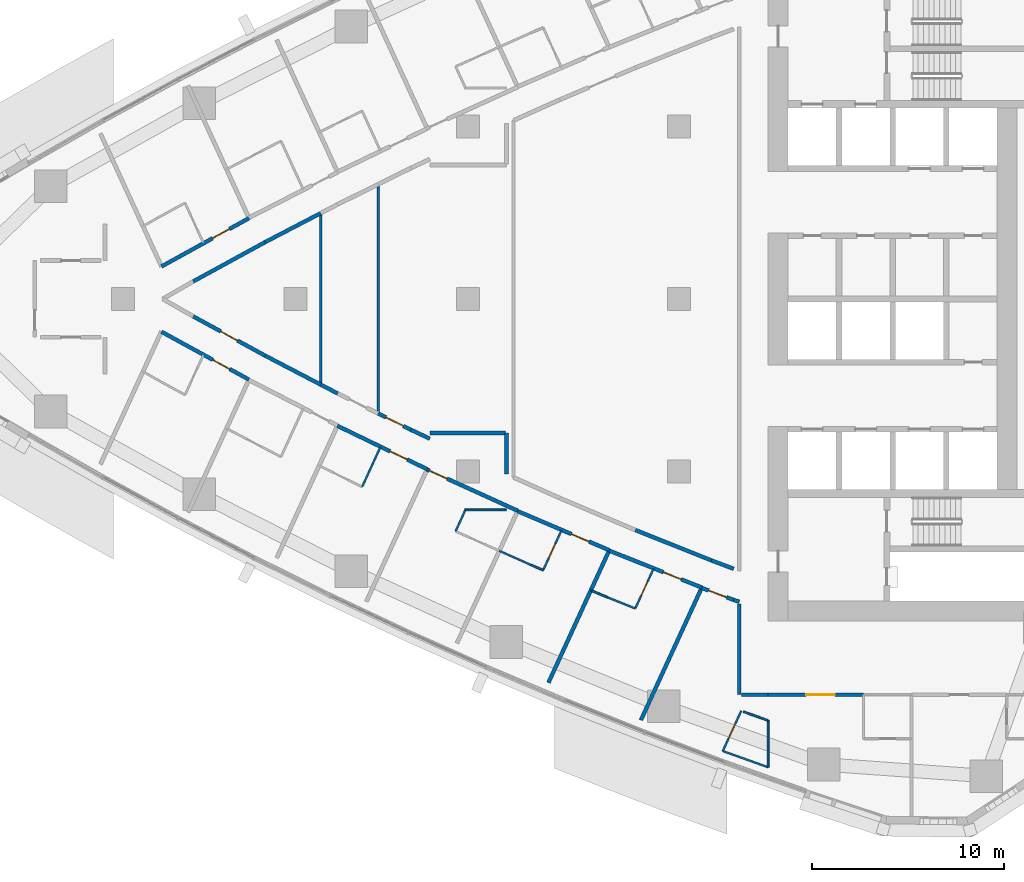
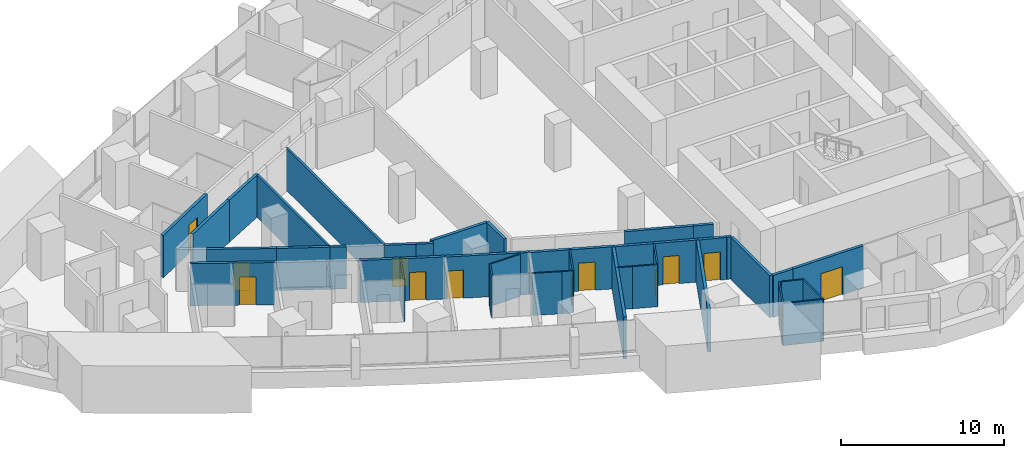
# One storey, part 9 of 17: 39 walls, 13 doors, 13 openings.
"""IFC4 building model written with IfcOpenShell, lengths in metres."""

from ifc_helpers import new_model, si_unit, direction, frame, frame_2d, origin, place, context, subcontext, project, spatial, rectangle, extrude, material, layer, layer_set, type_object, element, fill, save


model = new_model("IFC4")

# Units and contexts
model_context = context("Model", 3, precision=1e-05, world=origin(), true_north=direction((0.0, 1.0)))
body_context = subcontext(model_context, "Body", "Model", "MODEL_VIEW")
ifc_project = project(units=[si_unit("LENGTHUNIT", "METRE"), si_unit("AREAUNIT", "SQUARE_METRE"), si_unit("VOLUMEUNIT", "CUBIC_METRE"), si_unit("PLANEANGLEUNIT", "RADIAN"), si_unit("MASSUNIT", "GRAM", prefix="KILO")], contexts=[model_context])

# Site, building, storey
site_placement = place(None, origin())
site = spatial("IfcSite", under=ifc_project, at=site_placement, CompositionType="ELEMENT")
building_placement = place(site_placement, origin())
building = spatial("IfcBuilding", under=site, at=building_placement, Name="Ostrand Prow Hotel Tower", CompositionType="ELEMENT")
storey_placement = place(building_placement, frame((0.0, 0.0, 116.85009765625)))
storey = spatial("IfcBuildingStorey", under=building, at=storey_placement, Name="L28", CompositionType="ELEMENT", Elevation=116.85009765625)

# Walls
ifc_material_1 = material(Name="Plasterboard partition")
ifc_layer_1 = layer(ifc_material_1, 0.10009765625)
ifc_layer_set_1 = layer_set([ifc_layer_1], Name="Plasterboard partition")
wall_type_1 = type_object("IfcWallType", Name="Partition 100 bathroom wall", PredefinedType="PARTITIONING", material=ifc_layer_set_1)
wall_1_placement = place(storey_placement, frame((29.418701171875, -7.7373046875, 0.0), z_axis=(0.0, 0.0, 1.0), x_axis=(-0.417344701557, -0.908748260016, 0.0)))
element("IfcWall", 1, at=wall_1_placement, inside=storey, type_object=wall_type_1, Name="BATHROOM WALL", PredefinedType="PARTITIONING", context=body_context, shape_type="SweptSolid", body=[
    extrude(rectangle(XDim=2.27783203125, YDim=0.10009765625, at=frame_2d((1.138916015625, 0.0))), origin(), (0.0, 0.0, 1.0), 3.14990234375),
])
wall_2_placement = place(storey_placement, frame((33.34521484375, -12.125732421875, 0.0), z_axis=(0.0, 0.0, 1.0), x_axis=(0.417500171551, 0.908676843963, 0.0)))
element("IfcWall", 2, at=wall_2_placement, inside=storey, type_object=wall_type_1, Name="BATHROOM WALL", PredefinedType="PARTITIONING", context=body_context, shape_type="SweptSolid", body=[
    extrude(rectangle(XDim=1.212890625, YDim=0.10009765625, at=frame_2d((0.6064453125, 0.0))), origin(), (0.0, 0.0, 1.0), 3.14990234375),
])

# Wall, opening, door
wall_3_placement = place(storey_placement, frame((38.867431640625, -12.08251953125, 0.0), z_axis=(0.0, 0.0, 1.0), x_axis=(-0.417433204355, -0.908707609686, 0.0)))
wall_3 = element("IfcWall", 3, at=wall_3_placement, inside=storey, type_object=wall_type_1, Name="BATHROOM WALL", PredefinedType="PARTITIONING", context=body_context, shape_type="SweptSolid", body=[
    extrude(rectangle(XDim=2.278076171875, YDim=0.10009765625, at=frame_2d((1.13916015625, 0.0))), origin(), (0.0, 0.0, 1.0), 3.14990234375),
])
opening_1_placement = place(wall_3_placement, frame((0.75, 0.0, 0.0)))
opening_1 = element("IfcOpeningElement", 4, at=opening_1_placement, cuts=wall_3, Name="Opening D2", PredefinedType="OPENING", context=body_context, shape_type="SweptSolid", body=[
    extrude(rectangle(XDim=0.800048828125, YDim=2.10009765625, at=frame_2d((0.39990234375, 1.050048828125))), frame((0.0, 0.06005859375, 0.0), z_axis=(0.0, -1.0, 0.0), x_axis=(1.0, 0.0, 0.0)), (0.0, 0.0, 1.0), 0.1201171875),
])
ifc_material_2 = material(Name="Timber door leaf", Category="wood")
door_type_1 = type_object("IfcDoorType", Name="Bathroom door 800", OperationType="SINGLE_SWING_LEFT", PredefinedType="DOOR", material=ifc_material_2)
door_1_placement = place(opening_1_placement, origin())
door_1 = element("IfcDoor", 5, at=door_1_placement, inside=storey, type_object=door_type_1, Name="DOOR", OperationType="SINGLE_SWING_LEFT", OverallHeight=2.10009765625, OverallWidth=0.800048828125, PredefinedType="DOOR", context=body_context, shape_type="SweptSolid", body=[
    extrude(rectangle(XDim=0.800048828125, YDim=2.10009765625, at=frame_2d((0.39990234375, 1.050048828125))), frame((0.0, 0.02490234375, 0.0), z_axis=(0.0, -1.0, 0.0), x_axis=(1.0, 0.0, 0.0)), (0.0, 0.0, 1.0), 0.050048828125),
])
fill(opening_1, door_1)

# Walls
wall_4_placement = place(storey_placement, frame((37.91650390625, -14.152587890625, 0.0), z_axis=(0.0, 0.0, 1.0), x_axis=(-0.920972104389, 0.389628519153, 0.0)))
element("IfcWall", 6, at=wall_4_placement, inside=storey, type_object=wall_type_1, Name="BATHROOM WALL", PredefinedType="PARTITIONING", context=body_context, shape_type="SweptSolid", body=[
    extrude(rectangle(XDim=0.6943359375, YDim=0.10009765625, at=frame_2d((0.34716796875, 0.0))), origin(), (0.0, 0.0, 1.0), 3.14990234375),
])
wall_5_placement = place(storey_placement, frame((37.27685546875, -13.882080078125, 0.0), z_axis=(0.0, 0.0, 1.0), x_axis=(-0.913023709843, 0.407906490833, 0.0)))
element("IfcWall", 7, at=wall_5_placement, inside=storey, type_object=wall_type_1, Name="BATHROOM WALL", PredefinedType="PARTITIONING", context=body_context, shape_type="SweptSolid", body=[
    extrude(rectangle(XDim=1.8056640625, YDim=0.10009765625, at=frame_2d((0.90283203125, 0.0))), origin(), (0.0, 0.0, 1.0), 3.14990234375),
])

# Wall, opening, door
wall_6_placement = place(storey_placement, frame((43.6728515625, -14.0791015625, 0.0), z_axis=(0.0, 0.0, 1.0), x_axis=(-0.417414140651, -0.908716366742, 0.0)))
wall_6 = element("IfcWall", 8, at=wall_6_placement, inside=storey, type_object=wall_type_1, Name="BATHROOM WALL", PredefinedType="PARTITIONING", context=body_context, shape_type="SweptSolid", body=[
    extrude(rectangle(XDim=2.27978515625, YDim=0.10009765625, at=frame_2d((1.139892578125, 0.0))), origin(), (0.0, 0.0, 1.0), 3.14990234375),
])
opening_2_placement = place(wall_6_placement, frame((0.75, 0.0, 0.0)))
opening_2 = element("IfcOpeningElement", 9, at=opening_2_placement, cuts=wall_6, Name="Opening D2", PredefinedType="OPENING", context=body_context, shape_type="SweptSolid", body=[
    extrude(rectangle(XDim=0.800048828125, YDim=2.10009765625, at=frame_2d((0.39990234375, 1.050048828125))), frame((0.0, 0.06005859375, 0.0), z_axis=(0.0, -1.0, 0.0), x_axis=(1.0, 0.0, 0.0)), (0.0, 0.0, 1.0), 0.1201171875),
])
door_2_placement = place(opening_2_placement, origin())
door_2 = element("IfcDoor", 10, at=door_2_placement, inside=storey, type_object=door_type_1, Name="DOOR", OperationType="SINGLE_SWING_LEFT", OverallHeight=2.10009765625, OverallWidth=0.800048828125, PredefinedType="DOOR", context=body_context, shape_type="SweptSolid", body=[
    extrude(rectangle(XDim=0.800048828125, YDim=2.10009765625, at=frame_2d((0.39990234375, 1.050048828125))), frame((0.0, 0.02490234375, 0.0), z_axis=(0.0, -1.0, 0.0), x_axis=(1.0, 0.0, 0.0)), (0.0, 0.0, 1.0), 0.050048828125),
])
fill(opening_2, door_2)

# Walls
wall_7_placement = place(storey_placement, frame((42.720947265625, -16.15087890625, 0.0), z_axis=(0.0, 0.0, 1.0), x_axis=(-0.928607087251, 0.371064519333, 0.0)))
element("IfcWall", 11, at=wall_7_placement, inside=storey, type_object=wall_type_1, Name="BATHROOM WALL", PredefinedType="PARTITIONING", context=body_context, shape_type="SweptSolid", body=[
    extrude(rectangle(XDim=1.548828125, YDim=0.10009765625, at=frame_2d((0.7744140625, 0.0))), origin(), (0.0, 0.0, 1.0), 3.14990234375),
])
wall_8_placement = place(storey_placement, frame((41.28271484375, -15.576171875, 0.0), z_axis=(0.0, 0.0, 1.0), x_axis=(-0.921041449483, 0.389464566212, 0.0)))
element("IfcWall", 12, at=wall_8_placement, inside=storey, type_object=wall_type_1, Name="BATHROOM WALL", PredefinedType="PARTITIONING", context=body_context, shape_type="SweptSolid", body=[
    extrude(rectangle(XDim=0.953369140625, YDim=0.10009765625, at=frame_2d((0.4765625, 0.0))), origin(), (0.0, 0.0, 1.0), 3.14990234375),
])
wall_9_placement = place(storey_placement, frame((48.36279296875, -21.5400390625, 0.0), z_axis=(0.0, 0.0, 1.0), x_axis=(0.942692856107, -0.333661773425, 0.0)))
element("IfcWall", 13, at=wall_9_placement, inside=storey, type_object=wall_type_1, Name="BATHROOM WALL", PredefinedType="PARTITIONING", context=body_context, shape_type="SweptSolid", body=[
    extrude(rectangle(XDim=1.365234375, YDim=0.10009765625, at=frame_2d((0.6826171875, 0.0))), origin(), (0.0, 0.0, 1.0), 3.14990234375),
])

# Wall, opening, door
wall_10_placement = place(storey_placement, frame((47.285888671875, -23.59228515625, 0.0), z_axis=(0.0, 0.0, 1.0), x_axis=(0.41749308293, 0.908680100864, 0.0)))
wall_10 = element("IfcWall", 14, at=wall_10_placement, inside=storey, type_object=wall_type_1, Name="BATHROOM WALL", PredefinedType="PARTITIONING", context=body_context, shape_type="SweptSolid", body=[
    extrude(rectangle(XDim=2.3056640625, YDim=0.10009765625, at=frame_2d((1.15283203125, 0.0))), origin(), (0.0, 0.0, 1.0), 3.14990234375),
])
opening_3_placement = place(wall_10_placement, frame((0.75, 0.0, 0.0)))
opening_3 = element("IfcOpeningElement", 15, at=opening_3_placement, cuts=wall_10, Name="Opening D2", PredefinedType="OPENING", context=body_context, shape_type="SweptSolid", body=[
    extrude(rectangle(XDim=0.800048828125, YDim=2.10009765625, at=frame_2d((0.39990234375, 1.050048828125))), frame((0.0, 0.06005859375, 0.0), z_axis=(0.0, -1.0, 0.0), x_axis=(1.0, 0.0, 0.0)), (0.0, 0.0, 1.0), 0.1201171875),
])
door_3_placement = place(opening_3_placement, origin())
door_3 = element("IfcDoor", 16, at=door_3_placement, inside=storey, type_object=door_type_1, Name="DOOR", OperationType="SINGLE_SWING_LEFT", OverallHeight=2.10009765625, OverallWidth=0.800048828125, PredefinedType="DOOR", context=body_context, shape_type="SweptSolid", body=[
    extrude(rectangle(XDim=0.800048828125, YDim=2.10009765625, at=frame_2d((0.39990234375, 1.050048828125))), frame((0.0, 0.02490234375, 0.0), z_axis=(0.0, -1.0, 0.0), x_axis=(1.0, 0.0, 0.0)), (0.0, 0.0, 1.0), 0.050048828125),
])
fill(opening_3, door_3)

# Walls
wall_11_placement = place(storey_placement, frame((33.828857421875, -11.0048828125, 0.0), z_axis=(0.0, 0.0, 1.0), x_axis=(1.0, 0.0, 0.0)))
element("IfcWall", 17, at=wall_11_placement, inside=storey, type_object=wall_type_1, Name="BATHROOM WALL", PredefinedType="PARTITIONING", context=body_context, shape_type="SweptSolid", body=[
    extrude(rectangle(XDim=2.171630859375, YDim=0.10009765625, at=frame_2d((1.0859375, 0.0))), origin(), (0.0, 0.0, 1.0), 3.14990234375),
])
wall_12_placement = place(storey_placement, frame((49.64990234375, -21.99560546875, 0.0), z_axis=(0.0, 0.0, 1.0), x_axis=(0.0, -1.0, 0.0)))
element("IfcWall", 18, at=wall_12_placement, inside=storey, type_object=wall_type_1, Name="BATHROOM WALL", PredefinedType="PARTITIONING", context=body_context, shape_type="SweptSolid", body=[
    extrude(rectangle(XDim=2.439453125, YDim=0.10009765625, at=frame_2d((1.2197265625, 0.0))), origin(), (0.0, 0.0, 1.0), 3.14990234375),
])
wall_13_placement = place(storey_placement, frame((49.64990234375, -24.43505859375, 0.0), z_axis=(0.0, 0.0, 1.0), x_axis=(-0.941933231826, 0.335800218555, 0.0)))
element("IfcWall", 19, at=wall_13_placement, inside=storey, type_object=wall_type_1, Name="BATHROOM WALL", PredefinedType="PARTITIONING", context=body_context, shape_type="SweptSolid", body=[
    extrude(rectangle(XDim=2.509765625, YDim=0.10009765625, at=frame_2d((1.2548828125, 0.0))), origin(), (0.0, 0.0, 1.0), 3.14990234375),
])
ifc_material_3 = material(Name="Plasterboard partition")
ifc_layer_2 = layer(ifc_material_3, 0.14990234375)
ifc_layer_set_2 = layer_set([ifc_layer_2], Name="Plasterboard partition")
wall_type_2 = type_object("IfcWallType", Name="Partition 150 room partition", PredefinedType="PARTITIONING", material=ifc_layer_set_2)
wall_14_placement = place(storey_placement, frame((26.30810546875, -4.47314453125, 0.0), z_axis=(0.0, 0.0, 1.0), x_axis=(0.0, 1.0, 0.0)))
element("IfcWall", 20, at=wall_14_placement, inside=storey, type_object=wall_type_2, Name="ROOM PARTITION", PredefinedType="PARTITIONING", context=body_context, shape_type="SweptSolid", body=[
    extrude(rectangle(XDim=8.9462890625, YDim=0.14990234375, at=frame_2d((4.47314453125, 0.0))), origin(), (0.0, 0.0, 1.0), 3.14990234375),
])
wall_15_placement = place(storey_placement, frame((29.30810546875, -5.982666015625, 0.0), z_axis=(0.0, 0.0, 1.0), x_axis=(0.0, 1.0, 0.0)))
element("IfcWall", 21, at=wall_15_placement, inside=storey, type_object=wall_type_2, Name="ROOM PARTITION", PredefinedType="PARTITIONING", context=body_context, shape_type="SweptSolid", body=[
    extrude(rectangle(XDim=11.96533203125, YDim=0.14990234375, at=frame_2d((5.982666015625, 0.0))), origin(), (0.0, 0.0, 1.0), 3.14990234375),
])

# Wall, opening, door
ifc_material_4 = material(Name="Plasterboard partition")
ifc_layer_3 = layer(ifc_material_4, 0.199951171875)
ifc_layer_set_3 = layer_set([ifc_layer_3], Name="Plasterboard partition")
wall_type_3 = type_object("IfcWallType", Name="Partition 200 corridor wall", PredefinedType="PARTITIONING", material=ifc_layer_set_3)
wall_16_placement = place(storey_placement, frame((18.0, 1.691650390625, 0.0), z_axis=(0.0, 0.0, 1.0), x_axis=(0.875501185112, 0.483215971246, 0.0)))
wall_16 = element("IfcWall", 22, at=wall_16_placement, inside=storey, type_object=wall_type_3, Name="CORRIDOR WALL", PredefinedType="PARTITIONING", context=body_context, shape_type="SweptSolid", body=[
    extrude(rectangle(XDim=5.214111328125, YDim=0.199951171875, at=frame_2d((2.60693359375, 0.0))), origin(), (0.0, 0.0, 1.0), 3.14990234375),
])
opening_4_placement = place(wall_16_placement, frame((3.050048828125, 0.0, 0.0)))
opening_4 = element("IfcOpeningElement", 23, at=opening_4_placement, cuts=wall_16, Name="Opening D1", PredefinedType="OPENING", context=body_context, shape_type="SweptSolid", body=[
    extrude(rectangle(XDim=1.0, YDim=2.10009765625, at=frame_2d((0.5, 1.050048828125))), frame((0.0, 0.10986328125, 0.0), z_axis=(0.0, -1.0, 0.0), x_axis=(1.0, 0.0, 0.0)), (0.0, 0.0, 1.0), 0.219970703125),
])
ifc_material_5 = material(Name="Timber door leaf", Category="wood")
door_type_2 = type_object("IfcDoorType", Name="Guest room door 1000", OperationType="SINGLE_SWING_LEFT", PredefinedType="DOOR", material=ifc_material_5)
door_4_placement = place(opening_4_placement, origin())
door_4 = element("IfcDoor", 24, at=door_4_placement, inside=storey, type_object=door_type_2, Name="DOOR", OperationType="SINGLE_SWING_LEFT", OverallHeight=2.10009765625, OverallWidth=1.0, PredefinedType="DOOR", context=body_context, shape_type="SweptSolid", body=[
    extrude(rectangle(XDim=1.0, YDim=2.10009765625, at=frame_2d((0.5, 1.050048828125))), frame((0.0, 0.02490234375, 0.0), z_axis=(0.0, -1.0, 0.0), x_axis=(1.0, 0.0, 0.0)), (0.0, 0.0, 1.0), 0.050048828125),
])
fill(opening_4, door_4)

wall_17_placement = place(storey_placement, frame((18.0, -1.714599609375, 0.0), z_axis=(0.0, 0.0, 1.0), x_axis=(0.877360645448, -0.479831530664, 0.0)))
wall_17 = element("IfcWall", 25, at=wall_17_placement, inside=storey, type_object=wall_type_3, Name="CORRIDOR WALL", PredefinedType="PARTITIONING", context=body_context, shape_type="SweptSolid", body=[
    extrude(rectangle(XDim=5.203125, YDim=0.199951171875, at=frame_2d((2.6015625, 0.0))), origin(), (0.0, 0.0, 1.0), 3.14990234375),
])
opening_5_placement = place(wall_17_placement, frame((3.050048828125, 0.0, 0.0)))
opening_5 = element("IfcOpeningElement", 26, at=opening_5_placement, cuts=wall_17, Name="Opening D1", PredefinedType="OPENING", context=body_context, shape_type="SweptSolid", body=[
    extrude(rectangle(XDim=1.0, YDim=2.10009765625, at=frame_2d((0.5, 1.050048828125))), frame((0.0, 0.10986328125, 0.0), z_axis=(0.0, -1.0, 0.0), x_axis=(1.0, 0.0, 0.0)), (0.0, 0.0, 1.0), 0.219970703125),
])
door_5_placement = place(opening_5_placement, origin())
door_5 = element("IfcDoor", 27, at=door_5_placement, inside=storey, type_object=door_type_2, Name="DOOR", OperationType="SINGLE_SWING_LEFT", OverallHeight=2.10009765625, OverallWidth=1.0, PredefinedType="DOOR", context=body_context, shape_type="SweptSolid", body=[
    extrude(rectangle(XDim=1.0, YDim=2.10009765625, at=frame_2d((0.5, 1.050048828125))), frame((0.0, 0.02490234375, 0.0), z_axis=(0.0, -1.0, 0.0), x_axis=(1.0, 0.0, 0.0)), (0.0, 0.0, 1.0), 0.050048828125),
])
fill(opening_5, door_5)

wall_18_placement = place(storey_placement, frame((27.17919921875, -6.623779296875, 0.0), z_axis=(0.0, 0.0, 1.0), x_axis=(0.900446408639, -0.434966970204, 0.0)))
wall_18 = element("IfcWall", 28, at=wall_18_placement, inside=storey, type_object=wall_type_3, Name="CORRIDOR WALL", PredefinedType="PARTITIONING", context=body_context, shape_type="SweptSolid", body=[
    extrude(rectangle(XDim=5.200927734375, YDim=0.199951171875, at=frame_2d((2.6005859375, 0.0))), origin(), (0.0, 0.0, 1.0), 3.14990234375),
])
opening_6_placement = place(wall_18_placement, frame((3.050048828125, 0.0, 0.0)))
opening_6 = element("IfcOpeningElement", 29, at=opening_6_placement, cuts=wall_18, Name="Opening D1", PredefinedType="OPENING", context=body_context, shape_type="SweptSolid", body=[
    extrude(rectangle(XDim=1.0, YDim=2.10009765625, at=frame_2d((0.5, 1.050048828125))), frame((0.0, 0.10986328125, 0.0), z_axis=(0.0, -1.0, 0.0), x_axis=(1.0, 0.0, 0.0)), (0.0, 0.0, 1.0), 0.219970703125),
])
door_6_placement = place(opening_6_placement, origin())
door_6 = element("IfcDoor", 30, at=door_6_placement, inside=storey, type_object=door_type_2, Name="DOOR", OperationType="SINGLE_SWING_LEFT", OverallHeight=2.10009765625, OverallWidth=1.0, PredefinedType="DOOR", context=body_context, shape_type="SweptSolid", body=[
    extrude(rectangle(XDim=1.0, YDim=2.10009765625, at=frame_2d((0.5, 1.050048828125))), frame((0.0, 0.02490234375, 0.0), z_axis=(0.0, -1.0, 0.0), x_axis=(1.0, 0.0, 0.0)), (0.0, 0.0, 1.0), 0.050048828125),
])
fill(opening_6, door_6)

wall_19_placement = place(storey_placement, frame((31.85400390625, -8.904296875, 0.0), z_axis=(0.0, 0.0, 1.0), x_axis=(0.910421138148, -0.413682669704, 0.0)))
wall_19 = element("IfcWall", 31, at=wall_19_placement, inside=storey, type_object=wall_type_3, Name="CORRIDOR WALL", PredefinedType="PARTITIONING", context=body_context, shape_type="SweptSolid", body=[
    extrude(rectangle(XDim=5.199951171875, YDim=0.199951171875, at=frame_2d((2.60009765625, 0.0))), origin(), (0.0, 0.0, 1.0), 3.14990234375),
])
opening_7_placement = place(wall_19_placement, frame((0.14990234375, 0.0, 0.0)))
opening_7 = element("IfcOpeningElement", 32, at=opening_7_placement, cuts=wall_19, Name="Opening D1", PredefinedType="OPENING", context=body_context, shape_type="SweptSolid", body=[
    extrude(rectangle(XDim=1.0, YDim=2.10009765625, at=frame_2d((0.5, 1.050048828125))), frame((0.0, 0.10986328125, 0.0), z_axis=(0.0, -1.0, 0.0), x_axis=(1.0, 0.0, 0.0)), (0.0, 0.0, 1.0), 0.219970703125),
])
door_7_placement = place(opening_7_placement, origin())
door_7 = element("IfcDoor", 33, at=door_7_placement, inside=storey, type_object=door_type_2, Name="DOOR", OperationType="SINGLE_SWING_LEFT", OverallHeight=2.10009765625, OverallWidth=1.0, PredefinedType="DOOR", context=body_context, shape_type="SweptSolid", body=[
    extrude(rectangle(XDim=1.0, YDim=2.10009765625, at=frame_2d((0.5, 1.050048828125))), frame((0.0, 0.02490234375, 0.0), z_axis=(0.0, -1.0, 0.0), x_axis=(1.0, 0.0, 0.0)), (0.0, 0.0, 1.0), 0.050048828125),
])
fill(opening_7, door_7)

wall_20_placement = place(storey_placement, frame((36.579833984375, -11.073486328125, 0.0), z_axis=(0.0, 0.0, 1.0), x_axis=(0.919874136955, -0.392213681762, 0.0)))
wall_20 = element("IfcWall", 34, at=wall_20_placement, inside=storey, type_object=wall_type_3, Name="CORRIDOR WALL", PredefinedType="PARTITIONING", context=body_context, shape_type="SweptSolid", body=[
    extrude(rectangle(XDim=5.201904296875, YDim=0.199951171875, at=frame_2d((2.60107421875, 0.0))), origin(), (0.0, 0.0, 1.0), 3.14990234375),
])
opening_8_placement = place(wall_20_placement, frame((3.050048828125, 0.0, 0.0)))
opening_8 = element("IfcOpeningElement", 35, at=opening_8_placement, cuts=wall_20, Name="Opening D1", PredefinedType="OPENING", context=body_context, shape_type="SweptSolid", body=[
    extrude(rectangle(XDim=1.0, YDim=2.10009765625, at=frame_2d((0.5, 1.050048828125))), frame((0.0, 0.10986328125, 0.0), z_axis=(0.0, -1.0, 0.0), x_axis=(1.0, 0.0, 0.0)), (0.0, 0.0, 1.0), 0.219970703125),
])
door_8_placement = place(opening_8_placement, origin())
door_8 = element("IfcDoor", 36, at=door_8_placement, inside=storey, type_object=door_type_2, Name="DOOR", OperationType="SINGLE_SWING_LEFT", OverallHeight=2.10009765625, OverallWidth=1.0, PredefinedType="DOOR", context=body_context, shape_type="SweptSolid", body=[
    extrude(rectangle(XDim=1.0, YDim=2.10009765625, at=frame_2d((0.5, 1.050048828125))), frame((0.0, 0.02490234375, 0.0), z_axis=(0.0, -1.0, 0.0), x_axis=(1.0, 0.0, 0.0)), (0.0, 0.0, 1.0), 0.050048828125),
])
fill(opening_8, door_8)

wall_21_placement = place(storey_placement, frame((41.356689453125, -13.132080078125, 0.0), z_axis=(0.0, 0.0, 1.0), x_axis=(0.928902922329, -0.370323319396, 0.0)))
wall_21 = element("IfcWall", 37, at=wall_21_placement, inside=storey, type_object=wall_type_3, Name="CORRIDOR WALL", PredefinedType="PARTITIONING", context=body_context, shape_type="SweptSolid", body=[
    extrude(rectangle(XDim=5.206787109375, YDim=0.199951171875, at=frame_2d((2.603515625, 0.0))), origin(), (0.0, 0.0, 1.0), 3.14990234375),
])
opening_9_placement = place(wall_21_placement, frame((3.050048828125, 0.0, 0.0)))
opening_9 = element("IfcOpeningElement", 38, at=opening_9_placement, cuts=wall_21, Name="Opening D1", PredefinedType="OPENING", context=body_context, shape_type="SweptSolid", body=[
    extrude(rectangle(XDim=1.0, YDim=2.10009765625, at=frame_2d((0.5, 1.050048828125))), frame((0.0, 0.10986328125, 0.0), z_axis=(0.0, -1.0, 0.0), x_axis=(1.0, 0.0, 0.0)), (0.0, 0.0, 1.0), 0.219970703125),
])
door_9_placement = place(opening_9_placement, origin())
door_9 = element("IfcDoor", 39, at=door_9_placement, inside=storey, type_object=door_type_2, Name="DOOR", OperationType="SINGLE_SWING_LEFT", OverallHeight=2.10009765625, OverallWidth=1.0, PredefinedType="DOOR", context=body_context, shape_type="SweptSolid", body=[
    extrude(rectangle(XDim=1.0, YDim=2.10009765625, at=frame_2d((0.5, 1.050048828125))), frame((0.0, 0.02490234375, 0.0), z_axis=(0.0, -1.0, 0.0), x_axis=(1.0, 0.0, 0.0)), (0.0, 0.0, 1.0), 0.050048828125),
])
fill(opening_9, door_9)

wall_22_placement = place(storey_placement, frame((23.40673828125, -2.9619140625, 0.0), z_axis=(0.0, 0.0, 1.0), x_axis=(-0.877465075585, 0.479640533242, 0.0)))
wall_22 = element("IfcWall", 40, at=wall_22_placement, inside=storey, type_object=wall_type_3, Name="CORRIDOR WALL", PredefinedType="PARTITIONING", context=body_context, shape_type="SweptSolid", body=[
    extrude(rectangle(XDim=4.273193359375, YDim=0.199951171875, at=frame_2d((2.13671875, 0.0))), origin(), (0.0, 0.0, 1.0), 3.14990234375),
])
opening_10_placement = place(wall_22_placement, frame((1.636474609375, 0.0, 0.0)))
opening_10 = element("IfcOpeningElement", 41, at=opening_10_placement, cuts=wall_22, Name="Opening D1R", PredefinedType="OPENING", context=body_context, shape_type="SweptSolid", body=[
    extrude(rectangle(XDim=1.0, YDim=2.10009765625, at=frame_2d((0.5, 1.050048828125))), frame((0.0, 0.10986328125, 0.0), z_axis=(0.0, -1.0, 0.0), x_axis=(1.0, 0.0, 0.0)), (0.0, 0.0, 1.0), 0.219970703125),
])
ifc_material_6 = material(Name="Timber door leaf", Category="wood")
door_type_3 = type_object("IfcDoorType", Name="Guest room door 1000 right", OperationType="SINGLE_SWING_RIGHT", PredefinedType="DOOR", material=ifc_material_6)
door_10_placement = place(opening_10_placement, origin())
door_10 = element("IfcDoor", 42, at=door_10_placement, inside=storey, type_object=door_type_3, Name="DOOR", OperationType="SINGLE_SWING_RIGHT", OverallHeight=2.10009765625, OverallWidth=1.0, PredefinedType="DOOR", context=body_context, shape_type="SweptSolid", body=[
    extrude(rectangle(XDim=1.0, YDim=2.10009765625, at=frame_2d((0.5, 1.050048828125))), frame((0.0, 0.02490234375, 0.0), z_axis=(0.0, -1.0, 0.0), x_axis=(1.0, 0.0, 0.0)), (0.0, 0.0, 1.0), 0.050048828125),
])
fill(opening_10, door_10)

# Walls
wall_23_placement = place(storey_placement, frame((19.6572265625, 0.912353515625, 0.0), z_axis=(0.0, 0.0, 1.0), x_axis=(0.877465075585, 0.479640533242, 0.0)))
element("IfcWall", 43, at=wall_23_placement, inside=storey, type_object=wall_type_3, Name="CORRIDOR WALL", PredefinedType="PARTITIONING", context=body_context, shape_type="SweptSolid", body=[
    extrude(rectangle(XDim=4.273193359375, YDim=0.199951171875, at=frame_2d((2.13671875, 0.0))), origin(), (0.0, 0.0, 1.0), 3.14990234375),
])
for number, where, z_axis, x_axis, name in (
    (44, (23.40673828125, 2.9619140625, 0.0), (0.0, 0.0, 1.0), (0.886901344009, 0.461958879116, 0.0), "CORRIDOR WALL"),
    (45, (26.30810546875, -4.47314453125, 0.0), (0.0, 0.0, 1.0), (-0.886901344009, 0.461958879116, 0.0), "CORRIDOR WALL"),
):
    element("IfcWall", number, at=place(storey_placement, frame(where, z_axis=z_axis, x_axis=x_axis)), inside=storey, type_object=wall_type_3, Name=name, PredefinedType="PARTITIONING", context=body_context, shape_type="SweptSolid", body=[
        extrude(rectangle(XDim=3.271240234375, YDim=0.199951171875, at=frame_2d((1.6357421875, 0.0))), origin(), (0.0, 0.0, 1.0), 3.14990234375),
    ])
wall_24_placement = place(storey_placement, frame((27.1962890625, -4.935791015625, 0.0), z_axis=(0.0, 0.0, 1.0), x_axis=(-0.886893275317, 0.461974369633, 0.0)))
element("IfcWall", 46, at=wall_24_placement, inside=storey, type_object=wall_type_3, Name="CORRIDOR WALL", PredefinedType="PARTITIONING", context=body_context, shape_type="SweptSolid", body=[
    extrude(rectangle(XDim=1.00146484375, YDim=0.199951171875, at=frame_2d((0.500732421875, 0.0))), origin(), (0.0, 0.0, 1.0), 3.14990234375),
])

# Wall, opening, door
wall_25_placement = place(storey_placement, frame((31.02490234375, -6.83349609375, 0.0), z_axis=(0.0, 0.0, 1.0), x_axis=(-0.896001589052, 0.444050844404, 0.0)))
wall_25 = element("IfcWall", 47, at=wall_25_placement, inside=storey, type_object=wall_type_3, Name="CORRIDOR WALL", PredefinedType="PARTITIONING", context=body_context, shape_type="SweptSolid", body=[
    extrude(rectangle(XDim=1.916015625, YDim=0.199951171875, at=frame_2d((0.9580078125, 0.0))), origin(), (0.0, 0.0, 1.0), 3.14990234375),
])
opening_11_placement = place(wall_25_placement, frame((0.4580078125, 0.0, 0.0)))
opening_11 = element("IfcOpeningElement", 48, at=opening_11_placement, cuts=wall_25, Name="Opening D1R", PredefinedType="OPENING", context=body_context, shape_type="SweptSolid", body=[
    extrude(rectangle(XDim=1.0, YDim=2.10009765625, at=frame_2d((0.5, 1.050048828125))), frame((0.0, 0.10986328125, 0.0), z_axis=(0.0, -1.0, 0.0), x_axis=(1.0, 0.0, 0.0)), (0.0, 0.0, 1.0), 0.219970703125),
])
door_11_placement = place(opening_11_placement, origin())
door_11 = element("IfcDoor", 49, at=door_11_placement, inside=storey, type_object=door_type_3, Name="DOOR", OperationType="SINGLE_SWING_RIGHT", OverallHeight=2.10009765625, OverallWidth=1.0, PredefinedType="DOOR", context=body_context, shape_type="SweptSolid", body=[
    extrude(rectangle(XDim=1.0, YDim=2.10009765625, at=frame_2d((0.5, 1.050048828125))), frame((0.0, 0.02490234375, 0.0), z_axis=(0.0, -1.0, 0.0), x_axis=(1.0, 0.0, 0.0)), (0.0, 0.0, 1.0), 0.050048828125),
])
fill(opening_11, door_11)

# Walls
wall_26_placement = place(storey_placement, frame((32.0, -7.292724609375, 0.0), z_axis=(0.0, 0.0, 1.0), x_axis=(-0.904690325494, 0.426069730159, 0.0)))
element("IfcWall", 50, at=wall_26_placement, inside=storey, type_object=wall_type_3, Name="CORRIDOR WALL", PredefinedType="PARTITIONING", context=body_context, shape_type="SweptSolid", body=[
    extrude(rectangle(XDim=1.077880859375, YDim=0.199951171875, at=frame_2d((0.5390625, 0.0))), origin(), (0.0, 0.0, 1.0), 3.14990234375),
])
wall_27_placement = place(storey_placement, frame((46.69580078125, -13.646728515625, 0.0), z_axis=(0.0, 0.0, 1.0), x_axis=(-0.928638161177, 0.370986745864, 0.0)))
element("IfcWall", 51, at=wall_27_placement, inside=storey, type_object=wall_type_3, Name="CORRIDOR WALL", PredefinedType="PARTITIONING", context=body_context, shape_type="SweptSolid", body=[
    extrude(rectangle(XDim=4.27294921875, YDim=0.199951171875, at=frame_2d((2.136474609375, 0.0))), origin(), (0.0, 0.0, 1.0), 3.14990234375),
])

# Wall, opening, door
wall_28_placement = place(storey_placement, frame((49.64990234375, -20.655029296875, 0.0), z_axis=(0.0, 0.0, 1.0), x_axis=(1.0, 0.0, 0.0)))
wall_28 = element("IfcWall", 52, at=wall_28_placement, inside=storey, type_object=wall_type_3, Name="CORRIDOR WALL", PredefinedType="PARTITIONING", context=body_context, shape_type="SweptSolid", body=[
    extrude(rectangle(XDim=4.9755859375, YDim=0.199951171875, at=frame_2d((2.48779296875, 0.0))), origin(), (0.0, 0.0, 1.0), 3.14990234375),
])
opening_12_placement = place(wall_28_placement, frame((1.98779296875, 0.0, 0.0)))
opening_12 = element("IfcOpeningElement", 53, at=opening_12_placement, cuts=wall_28, Name="Opening D15", PredefinedType="OPENING", context=body_context, shape_type="SweptSolid", body=[
    extrude(rectangle(XDim=1.5, YDim=2.10009765625, at=frame_2d((0.75, 1.050048828125))), frame((0.0, 0.10986328125, 0.0), z_axis=(0.0, -1.0, 0.0), x_axis=(1.0, 0.0, 0.0)), (0.0, 0.0, 1.0), 0.219970703125),
])
ifc_material_7 = material(Name="Timber door leaf", Category="wood")
door_type_4 = type_object("IfcDoorType", Name="Double door 1500", OperationType="DOUBLE_DOOR_SINGLE_SWING", PredefinedType="DOOR", material=ifc_material_7)
door_12_placement = place(opening_12_placement, origin())
door_12 = element("IfcDoor", 54, at=door_12_placement, inside=storey, type_object=door_type_4, Name="DOOR", OperationType="DOUBLE_DOOR_SINGLE_SWING", OverallHeight=2.10009765625, OverallWidth=1.5, PredefinedType="DOOR", context=body_context, shape_type="SweptSolid", body=[
    extrude(rectangle(XDim=1.5, YDim=2.10009765625, at=frame_2d((0.75, 1.050048828125))), frame((0.0, 0.02490234375, 0.0), z_axis=(0.0, -1.0, 0.0), x_axis=(1.0, 0.0, 0.0)), (0.0, 0.0, 1.0), 0.050048828125),
])
fill(opening_12, door_12)

wall_29_placement = place(storey_placement, frame((46.184814453125, -15.07861328125, 0.0), z_axis=(0.0, 0.0, 1.0), x_axis=(0.935895556609, -0.352277599513, 0.0)))
wall_29 = element("IfcWall", 55, at=wall_29_placement, inside=storey, type_object=wall_type_3, Name="CORRIDOR WALL", PredefinedType="PARTITIONING", context=body_context, shape_type="SweptSolid", body=[
    extrude(rectangle(XDim=1.78466796875, YDim=0.199951171875, at=frame_2d((0.892333984375, 0.0))), origin(), (0.0, 0.0, 1.0), 3.14990234375),
])
opening_13_placement = place(wall_29_placement, frame((0.39208984375, 0.0, 0.0)))
opening_13 = element("IfcOpeningElement", 56, at=opening_13_placement, cuts=wall_29, Name="Opening D1", PredefinedType="OPENING", context=body_context, shape_type="SweptSolid", body=[
    extrude(rectangle(XDim=1.0, YDim=2.10009765625, at=frame_2d((0.5, 1.050048828125))), frame((0.0, 0.10986328125, 0.0), z_axis=(0.0, -1.0, 0.0), x_axis=(1.0, 0.0, 0.0)), (0.0, 0.0, 1.0), 0.219970703125),
])
door_13_placement = place(opening_13_placement, origin())
door_13 = element("IfcDoor", 57, at=door_13_placement, inside=storey, type_object=door_type_2, Name="DOOR", OperationType="SINGLE_SWING_LEFT", OverallHeight=2.10009765625, OverallWidth=1.0, PredefinedType="DOOR", context=body_context, shape_type="SweptSolid", body=[
    extrude(rectangle(XDim=1.0, YDim=2.10009765625, at=frame_2d((0.5, 1.050048828125))), frame((0.0, 0.02490234375, 0.0), z_axis=(0.0, -1.0, 0.0), x_axis=(1.0, 0.0, 0.0)), (0.0, 0.0, 1.0), 0.050048828125),
])
fill(opening_13, door_13)

# Walls
wall_30_placement = place(storey_placement, frame((47.85498046875, -14.0830078125, 0.0), z_axis=(0.0, 0.0, 1.0), x_axis=(-0.935907269358, 0.352246480696, 0.0)))
element("IfcWall", 58, at=wall_30_placement, inside=storey, type_object=wall_type_3, Name="CORRIDOR WALL", PredefinedType="PARTITIONING", context=body_context, shape_type="SweptSolid", body=[
    extrude(rectangle(XDim=1.238525390625, YDim=0.199951171875, at=frame_2d((0.619140625, 0.0))), origin(), (0.0, 0.0, 1.0), 3.14990234375),
])
wall_31_placement = place(storey_placement, frame((36.0048828125, -9.146484375, 0.0), z_axis=(0.0, 0.0, 1.0), x_axis=(-0.001135073049, 0.999999355804, 0.0)))
element("IfcWall", 59, at=wall_31_placement, inside=storey, type_object=wall_type_3, Name="CORRIDOR WALL", PredefinedType="PARTITIONING", context=body_context, shape_type="SweptSolid", body=[
    extrude(rectangle(XDim=2.15087890625, YDim=0.199951171875, at=frame_2d((1.075439453125, 0.0))), origin(), (0.0, 0.0, 1.0), 3.14990234375),
])
wall_32_placement = place(storey_placement, frame((35.96240234375, -6.99560546875, 0.0), z_axis=(0.0, 0.0, 1.0), x_axis=(-0.999999992409, 0.000123213405, 0.0)))
element("IfcWall", 60, at=wall_32_placement, inside=storey, type_object=wall_type_3, Name="CORRIDOR WALL", PredefinedType="PARTITIONING", context=body_context, shape_type="SweptSolid", body=[
    extrude(rectangle(XDim=3.962890625, YDim=0.199951171875, at=frame_2d((1.9814453125, 0.0))), origin(), (0.0, 0.0, 1.0), 3.14990234375),
])
wall_33_placement = place(storey_placement, frame((47.85498046875, -15.707275390625, 0.0), z_axis=(0.0, 0.0, 1.0), x_axis=(0.952167766291, -0.305575759571, 0.0)))
element("IfcWall", 61, at=wall_33_placement, inside=storey, type_object=wall_type_3, Name="CORRIDOR WALL", PredefinedType="PARTITIONING", context=body_context, shape_type="SweptSolid", body=[
    extrude(rectangle(XDim=0.31005859375, YDim=0.199951171875, at=frame_2d((0.155029296875, 0.0))), origin(), (0.0, 0.0, 1.0), 3.14990234375),
])
wall_34_placement = place(storey_placement, frame((48.145263671875, -15.92041015625, 0.0), z_axis=(0.0, 0.0, 1.0), x_axis=(-5.1610239e-05, -0.999999998668, 0.0)))
element("IfcWall", 62, at=wall_34_placement, inside=storey, type_object=wall_type_3, Name="CORRIDOR WALL", PredefinedType="PARTITIONING", context=body_context, shape_type="SweptSolid", body=[
    extrude(rectangle(XDim=4.73046875, YDim=0.199951171875, at=frame_2d((2.365234375, 0.0))), origin(), (0.0, 0.0, 1.0), 3.14990234375),
])
wall_35_placement = place(storey_placement, frame((48.26513671875, -20.6513671875, 0.0), z_axis=(0.0, 0.0, 1.0), x_axis=(0.999996503144, -0.002644560569, 0.0)))
element("IfcWall", 63, at=wall_35_placement, inside=storey, type_object=wall_type_3, Name="CORRIDOR WALL", PredefinedType="PARTITIONING", context=body_context, shape_type="SweptSolid", body=[
    extrude(rectangle(XDim=1.384765625, YDim=0.199951171875, at=frame_2d((0.6923828125, 0.0))), origin(), (0.0, 0.0, 1.0), 3.14990234375),
])
ifc_material_8 = material(Name="Plasterboard partition")
ifc_layer_4 = layer(ifc_material_8, 0.199951171875)
ifc_layer_set_4 = layer_set([ifc_layer_4], Name="Plasterboard partition")
wall_type_4 = type_object("IfcWallType", Name="Partition 200 key partition", PredefinedType="PARTITIONING", material=ifc_layer_set_4)
wall_36_placement = place(storey_placement, frame((38.191162109375, -20.023193359375, 0.0), z_axis=(0.0, 0.0, 1.0), x_axis=(0.417416334044, 0.908715359215, 0.0)))
element("IfcWall", 64, at=wall_36_placement, inside=storey, type_object=wall_type_4, Name="KEY PARTITION", PredefinedType="PARTITIONING", context=body_context, shape_type="SweptSolid", body=[
    extrude(rectangle(XDim=7.603515625, YDim=0.199951171875, at=frame_2d((3.8017578125, 0.0))), origin(), (0.0, 0.0, 1.0), 3.14990234375),
])
wall_37_placement = place(storey_placement, frame((43.016357421875, -21.97607421875, 0.0), z_axis=(0.0, 0.0, 1.0), x_axis=(0.417444332366, 0.908702497727, 0.0)))
element("IfcWall", 65, at=wall_37_placement, inside=storey, type_object=wall_type_4, Name="KEY PARTITION", PredefinedType="PARTITIONING", context=body_context, shape_type="SweptSolid", body=[
    extrude(rectangle(XDim=7.610595703125, YDim=0.199951171875, at=frame_2d((3.80517578125, 0.0))), origin(), (0.0, 0.0, 1.0), 3.14990234375),
])

save(model, "model.ifc")
